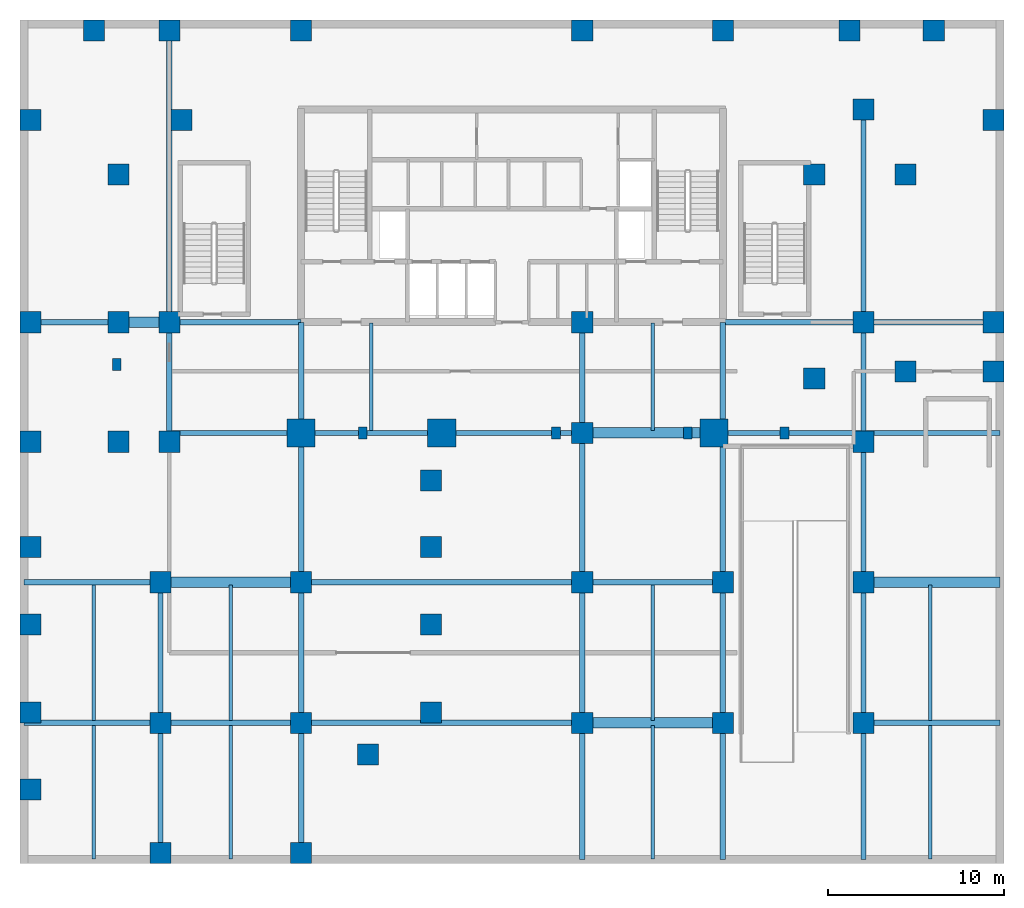
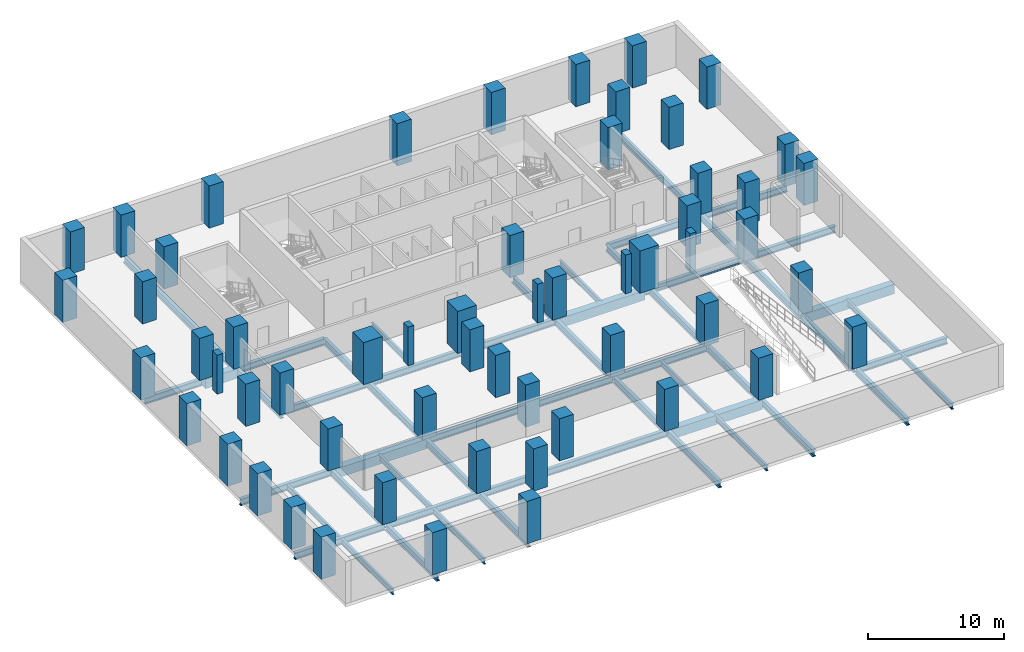
# One storey, part 1 of 5: 57 columns, 52 beams.
"""IFC4 building model written with IfcOpenShell, lengths in metres."""

from ifc_helpers import new_model, si_unit, direction, frame, origin, origin_2d, place, context, subcontext, project, spatial, rectangle, i_section, extrude, material, material_profile, profile_set, type_object, element, save


model = new_model("IFC4")

# Units and contexts
model_context = context("Model", 3, precision=1e-05, world=origin(), true_north=direction((0.0, 1.0)))
body_context = subcontext(model_context, "Body", "Model", "MODEL_VIEW")
ifc_project = project(units=[si_unit("LENGTHUNIT", "METRE"), si_unit("AREAUNIT", "SQUARE_METRE"), si_unit("VOLUMEUNIT", "CUBIC_METRE"), si_unit("PLANEANGLEUNIT", "RADIAN"), si_unit("MASSUNIT", "GRAM", prefix="KILO")], contexts=[model_context])

# Site, building, storey
site_placement = place(None, origin())
site = spatial("IfcSite", under=ifc_project, at=site_placement, CompositionType="ELEMENT")
building_placement = place(site_placement, origin())
building = spatial("IfcBuilding", under=site, at=building_placement, Name="Catumbela Crestline Tower", CompositionType="ELEMENT")
storey_placement = place(building_placement, frame((0.0, 0.0, -9.4)))
storey = spatial("IfcBuildingStorey", under=building, at=storey_placement, Name="B02", CompositionType="ELEMENT", Elevation=-9.4)

# Columns
ifc_material_1 = material(Name="Concrete C50/60", Category="concrete")
ifc_material_profile_1 = material_profile(ifc_material_1, rectangle(XDim=0.5, YDim=0.7, at=origin_2d()), Name="RC 500x700")
ifc_profile_set_1 = profile_set([ifc_material_profile_1], Name="Concrete C50/60")
column_type_1 = type_object("IfcColumnType", Name="CP-500", PredefinedType="PILASTER", material=ifc_profile_set_1)
for number, where, z_axis, x_axis, name in (
    (1, (19.5, 24.5, 0.0), (0.0, 0.0, 1.0), (1.0, 0.0, 0.0), "B02 Galleria Architectural Pilaster 6"),
    (2, (30.5, 24.5, 0.0), (0.0, 0.0, 1.0), (1.0, 0.0, 0.0), "B02 Galleria Architectural Pilaster 7"),
    (3, (38.0, 24.5, 0.0), (0.0, 0.0, 1.0), (1.0, 0.0, 0.0), "B02 Galleria Architectural Pilaster 8"),
    (4, (43.5, 24.5, 0.0), (0.0, 0.0, 1.0), (1.0, 0.0, 0.0), "B02 Galleria Architectural Pilaster 9"),
    (5, (5.5, 28.4, 0.0), (0.0, 0.0, 1.0), (1.0, 0.0, 0.0), "B02 Galleria Architectural Pilaster 10"),
):
    element("IfcColumn", number, at=place(storey_placement, frame(where, z_axis=z_axis, x_axis=x_axis)), inside=storey, type_object=column_type_1, Name=name, PredefinedType="PILASTER", context=body_context, shape_type="SweptSolid", body=[
        extrude(rectangle(XDim=0.5, YDim=0.7, at=origin_2d()), origin(), (0.0, 0.0, 1.0), 3.5),
    ])
ifc_material_2 = material(Name="Concrete C60/75", Category="concrete")
ifc_material_profile_2 = material_profile(ifc_material_2, rectangle(XDim=1.2, YDim=1.2, at=origin_2d()), Name="RC 1200x1200")
ifc_profile_set_2 = profile_set([ifc_material_profile_2], Name="Concrete C60/75")
column_type_2 = type_object("IfcColumnType", Name="C-RC1200-C60", PredefinedType="COLUMN", material=ifc_profile_set_2)
for number, where, z_axis, x_axis, name in (
    (6, (8.5, 24.0, 0.0), (0.0, 0.0, 1.0), (1.0, 0.0, 0.0), "B02 Column C-08-24 (RC 1200x1200)"),
    (7, (32.0, 24.5, 0.0), (0.0, 0.0, 1.0), (1.0, 0.0, 0.0), "B02 Column C-32-24 (RC 1200x1200)"),
    (8, (5.6, 24.0, 0.0), (0.0, 0.0, 1.0), (1.0, 0.0, 0.0), "B02 Column C-05-24 (RC 1200x1200)"),
    (9, (5.6, 30.8, 0.0), (0.0, 0.0, 1.0), (1.0, 0.0, 0.0), "B02 Column C-05-31 (RC 1200x1200)"),
    (10, (5.6, 39.2, 0.0), (0.0, 0.0, 1.0), (1.0, 0.0, 0.0), "B02 Column C-05-43 (RC 1200x1200)"),
    (11, (8.5, 30.8, 0.0), (0.0, 0.0, 1.0), (1.0, 0.0, 0.0), "B02 Column C-08-31 (RC 1200x1200)"),
    (12, (9.2, 42.3, 0.0), (0.0, 0.0, 1.0), (1.0, 0.0, 0.0), "B02 Column C-08-43 (RC 1200x1200)"),
    (13, (45.2, 27.6, 0.0), (0.0, 0.0, 1.0), (1.0, 0.0, 0.0), "B02 Column C-46-24 (RC 1200x1200)"),
    (14, (45.2, 39.2, 0.0), (0.0, 0.0, 1.0), (1.0, 0.0, 0.0), "B02 Column C-46-43 (RC 1200x1200)"),
    (15, (0.6, 24.0, 0.0), (0.0, 0.0, 1.0), (1.0, 0.0, 0.0), "B02 Column C-00-24 (RC 1200x1200)"),
    (16, (0.6, 30.8, 0.0), (0.0, 0.0, 1.0), (1.0, 0.0, 0.0), "B02 Column C-00-31 (RC 1200x1200)"),
    (17, (0.6, 42.3, 0.0), (0.0, 0.0, 1.0), (1.0, 0.0, 0.0), "B02 Column C-00-43 (RC 1200x1200)"),
    (18, (4.2, 47.4, 0.0), (0.0, 0.0, 1.0), (1.0, 0.0, 0.0), "B02 Column C-00-48 (RC 1200x1200)"),
    (19, (8.5, 47.4, 0.0), (0.0, 0.0, 1.0), (1.0, 0.0, 0.0), "B02 Column C-08-48 (RC 1200x1200)"),
    (20, (16.0, 47.4, 0.0), (0.0, 0.0, 1.0), (1.0, 0.0, 0.0), "B02 Column C-16-48 (RC 1200x1200)"),
    (21, (32.0, 47.4, 0.0), (0.0, 0.0, 1.0), (1.0, 0.0, 0.0), "B02 Column C-32-48 (RC 1200x1200)"),
    (22, (40.0, 47.4, 0.0), (0.0, 0.0, 1.0), (1.0, 0.0, 0.0), "B02 Column C-40-48 (RC 1200x1200)"),
    (23, (47.2, 47.4, 0.0), (0.0, 0.0, 1.0), (1.0, 0.0, 0.0), "B02 Column C-48-48 (RC 1200x1200)"),
    (24, (50.4, 28.0, 0.0), (0.0, 0.0, 1.0), (1.0, 0.0, 0.0), "B02 Column C-51-24 (RC 1200x1200)"),
    (25, (50.4, 39.2, 0.0), (0.0, 0.0, 1.0), (1.0, 0.0, 0.0), "B02 Column C-51-43 (RC 1200x1200)"),
    (26, (55.4, 28.0, 0.0), (0.0, 0.0, 1.0), (1.0, 0.0, 0.0), "B02 Column C-56-24 (RC 1200x1200)"),
    (27, (55.4, 30.8, 0.0), (0.0, 0.0, 1.0), (1.0, 0.0, 0.0), "B02 Column C-56-31 (RC 1200x1200)"),
    (28, (55.4, 42.3, 0.0), (0.0, 0.0, 1.0), (1.0, 0.0, 0.0), "B02 Column C-56-43 (RC 1200x1200)"),
    (29, (52.0, 47.4, 0.0), (0.0, 0.0, 1.0), (1.0, 0.0, 0.0), "B02 Column C-56-48 (RC 1200x1200)"),
    (30, (0.6, 8.6, 0.0), (0.0, 0.0, 1.0), (1.0, 0.0, 0.0), "B02 Column C-00-05 (RC 1200x1200)"),
    (31, (0.6, 13.6, 0.0), (0.0, 0.0, 1.0), (1.0, 0.0, 0.0), "B02 Column C-00-10 (RC 1200x1200)"),
    (32, (0.6, 18.0, 0.0), (0.0, 0.0, 1.0), (1.0, 0.0, 0.0), "B02 Column C-00-16 (RC 1200x1200)"),
    (33, (0.6, 4.2, 0.0), (0.0, 0.0, 1.0), (1.0, 0.0, 0.0), "B02 Column C-00-03 (RC 1200x1200)"),
    (34, (8.0, 0.6, 0.0), (0.0, 0.0, 1.0), (1.0, 0.0, 0.0), "B02 Column C-08-00 (RC 1200x1200)"),
    (35, (16.0, 0.6, 0.0), (0.0, 0.0, 1.0), (1.0, 0.0, 0.0), "B02 Column C-16-00 (RC 1200x1200)"),
    (36, (19.8, 6.2, 0.0), (0.0, 0.0, 1.0), (1.0, 0.0, 0.0), "B02 Column C-24-05 (RC 1200x1200)"),
    (37, (23.4, 8.6, 0.0), (0.0, 0.0, 1.0), (1.0, 0.0, 0.0), "B02 Column C-23-08 (RC 1200x1200)"),
    (38, (23.4, 13.6, 0.0), (0.0, 0.0, 1.0), (1.0, 0.0, 0.0), "B02 Column C-24-10 (RC 1200x1200)"),
    (39, (23.4, 18.0, 0.0), (0.0, 0.0, 1.0), (1.0, 0.0, 0.0), "B02 Column C-24-16 (RC 1200x1200)"),
    (40, (23.4, 21.8, 0.0), (0.0, 0.0, 1.0), (1.0, 0.0, 0.0), "B02 Column C-24-21 (RC 1200x1200)"),
    (41, (8.0, 8.0, 0.0), (0.0, 0.0, 1.0), (1.0, 0.0, 0.0), "B02 Column C-08-08 (RC 1200x1200)"),
    (42, (16.0, 8.0, 0.0), (0.0, 0.0, 1.0), (1.0, 0.0, 0.0), "B02 Column C-16-08 (RC 1200x1200)"),
    (43, (32.0, 30.8, 0.0), (0.0, 0.0, 1.0), (1.0, 0.0, 0.0), "B02 Column C-32-31 (RC 1200x1200)"),
    (44, (32.0, 8.0, 0.0), (0.0, 0.0, 1.0), (1.0, 0.0, 0.0), "B02 Column C-32-08 (RC 1200x1200)"),
    (45, (40.0, 8.0, 0.0), (0.0, 0.0, 1.0), (1.0, 0.0, 0.0), "B02 Column C-40-08 (RC 1200x1200)"),
    (46, (48.0, 8.0, 0.0), (0.0, 0.0, 1.0), (1.0, 0.0, 0.0), "B02 Column C-48-08 (RC 1200x1200)"),
    (47, (8.0, 16.0, 0.0), (0.0, 0.0, 1.0), (1.0, 0.0, 0.0), "B02 Column C-08-16 (RC 1200x1200)"),
    (48, (16.0, 16.0, 0.0), (0.0, 0.0, 1.0), (1.0, 0.0, 0.0), "B02 Column C-16-16 (RC 1200x1200)"),
    (49, (32.0, 16.0, 0.0), (0.0, 0.0, 1.0), (1.0, 0.0, 0.0), "B02 Column C-32-16 (RC 1200x1200)"),
    (50, (40.0, 16.0, 0.0), (0.0, 0.0, 1.0), (1.0, 0.0, 0.0), "B02 Column C-40-16 (RC 1200x1200)"),
    (51, (48.0, 16.0, 0.0), (0.0, 0.0, 1.0), (1.0, 0.0, 0.0), "B02 Column C-48-16 (RC 1200x1200)"),
    (52, (48.0, 24.0, 0.0), (0.0, 0.0, 1.0), (1.0, 0.0, 0.0), "B02 Column C-48-24 (RC 1200x1200)"),
    (53, (48.0, 30.8, 0.0), (0.0, 0.0, 1.0), (1.0, 0.0, 0.0), "B02 Column C-48-31 (RC 1200x1200)"),
    (54, (48.0, 42.9, 0.0), (0.0, 0.0, 1.0), (1.0, 0.0, 0.0), "B02 Column C-48-43 (RC 1200x1200)"),
):
    element("IfcColumn", number, at=place(storey_placement, frame(where, z_axis=z_axis, x_axis=x_axis)), inside=storey, type_object=column_type_2, Name=name, PredefinedType="COLUMN", context=body_context, shape_type="SweptSolid", body=[
        extrude(rectangle(XDim=1.2, YDim=1.2, at=origin_2d()), origin(), (0.0, 0.0, 1.0), 3.8),
    ])
ifc_material_profile_3 = material_profile(ifc_material_2, rectangle(XDim=1.6, YDim=1.6, at=origin_2d()), Name="RC 1600x1600")
ifc_profile_set_3 = profile_set([ifc_material_profile_3], Name="Concrete C60/75")
column_type_3 = type_object("IfcColumnType", Name="C-RC1600-C60", PredefinedType="COLUMN", material=ifc_profile_set_3)
for number, where, z_axis, x_axis, name in (
    (55, (16.0, 24.5, 0.0), (0.0, 0.0, 1.0), (1.0, 0.0, 0.0), "B02 Column C-16-24 (RC 1600x1600)"),
    (56, (24.0, 24.5, 0.0), (0.0, 0.0, 1.0), (1.0, 0.0, 0.0), "B02 Column C-24-24 (RC 1600x1600)"),
    (57, (39.5, 24.5, 0.0), (0.0, 0.0, 1.0), (1.0, 0.0, 0.0), "B02 Column C-40-24 (RC 1600x1600)"),
):
    element("IfcColumn", number, at=place(storey_placement, frame(where, z_axis=z_axis, x_axis=x_axis)), inside=storey, type_object=column_type_3, Name=name, PredefinedType="COLUMN", context=body_context, shape_type="SweptSolid", body=[
        extrude(rectangle(XDim=1.6, YDim=1.6, at=origin_2d()), origin(), (0.0, 0.0, 1.0), 3.8),
    ])

# Beams
ifc_material_3 = material(Name="Structural steel S355J2", Category="steel")
ifc_material_profile_4 = material_profile(ifc_material_3, i_section(OverallWidth=0.3, OverallDepth=0.6, WebThickness=0.0155, FlangeThickness=0.03, FilletRadius=0.027, at=origin_2d()), Name="HEB 600")
ifc_profile_set_4 = profile_set([ifc_material_profile_4], Name="Structural steel S355J2")
beam_type_1 = type_object("IfcBeamType", Name="BG-HEB600", PredefinedType="BEAM", material=ifc_profile_set_4)
beam_1_placement = place(storey_placement, frame((0.23, 8.0, -0.6), z_axis=(1.0, 0.0, 0.0), x_axis=(0.0, 1.0, 0.0)))
element("IfcBeam", 58, at=beam_1_placement, inside=storey, type_object=beam_type_1, Name="B02 Beam BM-B02-EW01", PredefinedType="BEAM", context=body_context, shape_type="SweptSolid", body=[
    extrude(i_section(OverallWidth=0.3, OverallDepth=0.6, WebThickness=0.0155, FlangeThickness=0.03, FilletRadius=0.027, at=origin_2d()), origin(), (0.0, 0.0, 1.0), 7.69),
])
beam_2_placement = place(storey_placement, frame((8.08, 8.0, -0.6), z_axis=(1.0, 0.0, 0.0), x_axis=(0.0, 1.0, 0.0)))
element("IfcBeam", 59, at=beam_2_placement, inside=storey, type_object=beam_type_1, Name="B02 Beam BM-B02-EW02", PredefinedType="BEAM", context=body_context, shape_type="SweptSolid", body=[
    extrude(i_section(OverallWidth=0.3, OverallDepth=0.6, WebThickness=0.0155, FlangeThickness=0.03, FilletRadius=0.027, at=origin_2d()), origin(), (0.0, 0.0, 1.0), 7.91),
])
beam_3_placement = place(storey_placement, frame((16.08, 8.0, -0.6), z_axis=(1.0, 0.0, 0.0), x_axis=(0.0, 1.0, 0.0)))
element("IfcBeam", 60, at=beam_3_placement, inside=storey, type_object=beam_type_1, Name="B02 Beam BM-B02-EW03", PredefinedType="BEAM", context=body_context, shape_type="SweptSolid", body=[
    extrude(i_section(OverallWidth=0.3, OverallDepth=0.6, WebThickness=0.0155, FlangeThickness=0.03, FilletRadius=0.027, at=origin_2d()), origin(), (0.0, 0.0, 1.0), 15.84),
])
for number, where, z_axis, x_axis, name in (
    (61, (48.08, 8.0, -0.6), (1.0, 0.0, 0.0), (0.0, 1.0, 0.0), "B02 Beam BM-B02-EW06"),
    (62, (0.23, 16.0, -0.6), (1.0, 0.0, 0.0), (0.0, 1.0, 0.0), "B02 Beam BM-B02-EW07"),
):
    element("IfcBeam", number, at=place(storey_placement, frame(where, z_axis=z_axis, x_axis=x_axis)), inside=storey, type_object=beam_type_1, Name=name, PredefinedType="BEAM", context=body_context, shape_type="SweptSolid", body=[
        extrude(i_section(OverallWidth=0.3, OverallDepth=0.6, WebThickness=0.0155, FlangeThickness=0.03, FilletRadius=0.027, at=origin_2d()), origin(), (0.0, 0.0, 1.0), 7.69),
    ])
beam_4_placement = place(storey_placement, frame((16.08, 16.0, -0.6), z_axis=(1.0, 0.0, 0.0), x_axis=(0.0, 1.0, 0.0)))
element("IfcBeam", 63, at=beam_4_placement, inside=storey, type_object=beam_type_1, Name="B02 Beam BM-B02-EW09", PredefinedType="BEAM", context=body_context, shape_type="SweptSolid", body=[
    extrude(i_section(OverallWidth=0.3, OverallDepth=0.6, WebThickness=0.0155, FlangeThickness=0.03, FilletRadius=0.027, at=origin_2d()), origin(), (0.0, 0.0, 1.0), 15.84),
])
beam_5_placement = place(storey_placement, frame((32.08, 16.0, -0.6), z_axis=(1.0, 0.0, 0.0), x_axis=(0.0, 1.0, 0.0)))
element("IfcBeam", 64, at=beam_5_placement, inside=storey, type_object=beam_type_1, Name="B02 Beam BM-B02-EW10", PredefinedType="BEAM", context=body_context, shape_type="SweptSolid", body=[
    extrude(i_section(OverallWidth=0.3, OverallDepth=0.6, WebThickness=0.0155, FlangeThickness=0.03, FilletRadius=0.027, at=origin_2d()), origin(), (0.0, 0.0, 1.0), 7.84),
])
beam_6_placement = place(storey_placement, frame((8.58, 24.5, -0.6), z_axis=(1.0, 0.0, 0.0), x_axis=(0.0, 1.0, 0.0)))
element("IfcBeam", 65, at=beam_6_placement, inside=storey, type_object=beam_type_1, Name="B02 Beam BM-B02-EW13", PredefinedType="BEAM", context=body_context, shape_type="SweptSolid", body=[
    extrude(i_section(OverallWidth=0.3, OverallDepth=0.6, WebThickness=0.0155, FlangeThickness=0.03, FilletRadius=0.027, at=origin_2d()), origin(), (0.0, 0.0, 1.0), 7.41),
])
for number, where, z_axis, x_axis, name in (
    (66, (16.08, 24.5, -0.6), (1.0, 0.0, 0.0), (0.0, 1.0, 0.0), "B02 Beam BM-B02-EW14"),
    (67, (24.08, 24.5, -0.6), (1.0, 0.0, 0.0), (0.0, 1.0, 0.0), "B02 Beam BM-B02-EW15"),
):
    element("IfcBeam", number, at=place(storey_placement, frame(where, z_axis=z_axis, x_axis=x_axis)), inside=storey, type_object=beam_type_1, Name=name, PredefinedType="BEAM", context=body_context, shape_type="SweptSolid", body=[
        extrude(i_section(OverallWidth=0.3, OverallDepth=0.6, WebThickness=0.0155, FlangeThickness=0.03, FilletRadius=0.027, at=origin_2d()), origin(), (0.0, 0.0, 1.0), 7.84),
    ])
beam_7_placement = place(storey_placement, frame((39.58, 24.5, -0.6), z_axis=(1.0, 0.0, 0.0), x_axis=(0.0, 1.0, 0.0)))
element("IfcBeam", 68, at=beam_7_placement, inside=storey, type_object=beam_type_1, Name="B02 Beam BM-B02-EW17", PredefinedType="BEAM", context=body_context, shape_type="SweptSolid", body=[
    extrude(i_section(OverallWidth=0.3, OverallDepth=0.6, WebThickness=0.0155, FlangeThickness=0.03, FilletRadius=0.027, at=origin_2d()), origin(), (0.0, 0.0, 1.0), 8.34),
])
beam_8_placement = place(storey_placement, frame((48.08, 24.5, -0.6), z_axis=(1.0, 0.0, 0.0), x_axis=(0.0, 1.0, 0.0)))
element("IfcBeam", 69, at=beam_8_placement, inside=storey, type_object=beam_type_1, Name="B02 Beam BM-B02-EW18", PredefinedType="BEAM", context=body_context, shape_type="SweptSolid", body=[
    extrude(i_section(OverallWidth=0.3, OverallDepth=0.6, WebThickness=0.0155, FlangeThickness=0.03, FilletRadius=0.027, at=origin_2d()), origin(), (0.0, 0.0, 1.0), 7.69),
])
beam_9_placement = place(storey_placement, frame((0.68, 30.8, -0.6), z_axis=(1.0, 0.0, 0.0), x_axis=(0.0, 1.0, 0.0)))
element("IfcBeam", 70, at=beam_9_placement, inside=storey, type_object=beam_type_1, Name="B02 Beam BM-B02-EW19", PredefinedType="BEAM", context=body_context, shape_type="SweptSolid", body=[
    extrude(i_section(OverallWidth=0.3, OverallDepth=0.6, WebThickness=0.0155, FlangeThickness=0.03, FilletRadius=0.027, at=origin_2d()), origin(), (0.0, 0.0, 1.0), 4.84),
])
beam_10_placement = place(storey_placement, frame((8.58, 30.8, -0.6), z_axis=(1.0, 0.0, 0.0), x_axis=(0.0, 1.0, 0.0)))
element("IfcBeam", 71, at=beam_10_placement, inside=storey, type_object=beam_type_1, Name="B02 Beam BM-B02-EW21", PredefinedType="BEAM", context=body_context, shape_type="SweptSolid", body=[
    extrude(i_section(OverallWidth=0.3, OverallDepth=0.6, WebThickness=0.0155, FlangeThickness=0.03, FilletRadius=0.027, at=origin_2d()), origin(), (0.0, 0.0, 1.0), 7.41),
])
beam_11_placement = place(storey_placement, frame((40.01, 30.8, -0.6), z_axis=(1.0, 0.0, 0.0), x_axis=(0.0, 1.0, 0.0)))
element("IfcBeam", 72, at=beam_11_placement, inside=storey, type_object=beam_type_1, Name="B02 Beam BM-B02-EW22", PredefinedType="BEAM", context=body_context, shape_type="SweptSolid", body=[
    extrude(i_section(OverallWidth=0.3, OverallDepth=0.6, WebThickness=0.0155, FlangeThickness=0.03, FilletRadius=0.027, at=origin_2d()), origin(), (0.0, 0.0, 1.0), 7.91),
])
beam_12_placement = place(storey_placement, frame((48.08, 30.8, -0.6), z_axis=(1.0, 0.0, 0.0), x_axis=(0.0, 1.0, 0.0)))
element("IfcBeam", 73, at=beam_12_placement, inside=storey, type_object=beam_type_1, Name="B02 Beam BM-B02-EW23", PredefinedType="BEAM", context=body_context, shape_type="SweptSolid", body=[
    extrude(i_section(OverallWidth=0.3, OverallDepth=0.6, WebThickness=0.0155, FlangeThickness=0.03, FilletRadius=0.027, at=origin_2d()), origin(), (0.0, 0.0, 1.0), 7.24),
])
beam_13_placement = place(storey_placement, frame((8.0, 0.23, -0.6), z_axis=(0.0, 1.0, 0.0), x_axis=(-1.0, 0.0, 0.0)))
element("IfcBeam", 74, at=beam_13_placement, inside=storey, type_object=beam_type_1, Name="B02 Beam BM-B02-NS24", PredefinedType="BEAM", context=body_context, shape_type="SweptSolid", body=[
    extrude(i_section(OverallWidth=0.3, OverallDepth=0.6, WebThickness=0.0155, FlangeThickness=0.03, FilletRadius=0.027, at=origin_2d()), origin(), (0.0, 0.0, 1.0), 7.69),
])
beam_14_placement = place(storey_placement, frame((8.0, 8.08, -0.6), z_axis=(0.0, 1.0, 0.0), x_axis=(-1.0, 0.0, 0.0)))
element("IfcBeam", 75, at=beam_14_placement, inside=storey, type_object=beam_type_1, Name="B02 Beam BM-B02-NS25", PredefinedType="BEAM", context=body_context, shape_type="SweptSolid", body=[
    extrude(i_section(OverallWidth=0.3, OverallDepth=0.6, WebThickness=0.0155, FlangeThickness=0.03, FilletRadius=0.027, at=origin_2d()), origin(), (0.0, 0.0, 1.0), 7.84),
])
beam_15_placement = place(storey_placement, frame((8.5, 24.08, -0.6), z_axis=(0.0, 1.0, 0.0), x_axis=(-1.0, 0.0, 0.0)))
element("IfcBeam", 76, at=beam_15_placement, inside=storey, type_object=beam_type_1, Name="B02 Beam BM-B02-NS26", PredefinedType="BEAM", context=body_context, shape_type="SweptSolid", body=[
    extrude(i_section(OverallWidth=0.3, OverallDepth=0.6, WebThickness=0.0155, FlangeThickness=0.03, FilletRadius=0.027, at=origin_2d()), origin(), (0.0, 0.0, 1.0), 6.64),
])
beam_16_placement = place(storey_placement, frame((8.5, 30.88, -0.6), z_axis=(0.0, 1.0, 0.0), x_axis=(-1.0, 0.0, 0.0)))
element("IfcBeam", 77, at=beam_16_placement, inside=storey, type_object=beam_type_1, Name="B02 Beam BM-B02-NS27", PredefinedType="BEAM", context=body_context, shape_type="SweptSolid", body=[
    extrude(i_section(OverallWidth=0.3, OverallDepth=0.6, WebThickness=0.0155, FlangeThickness=0.03, FilletRadius=0.027, at=origin_2d()), origin(), (0.0, 0.0, 1.0), 16.44),
])
beam_17_placement = place(storey_placement, frame((16.0, 0.68, -0.6), z_axis=(0.0, 1.0, 0.0), x_axis=(-1.0, 0.0, 0.0)))
element("IfcBeam", 78, at=beam_17_placement, inside=storey, type_object=beam_type_1, Name="B02 Beam BM-B02-NS28", PredefinedType="BEAM", context=body_context, shape_type="SweptSolid", body=[
    extrude(i_section(OverallWidth=0.3, OverallDepth=0.6, WebThickness=0.0155, FlangeThickness=0.03, FilletRadius=0.027, at=origin_2d()), origin(), (0.0, 0.0, 1.0), 7.24),
])
beam_18_placement = place(storey_placement, frame((16.0, 8.08, -0.6), z_axis=(0.0, 1.0, 0.0), x_axis=(-1.0, 0.0, 0.0)))
element("IfcBeam", 79, at=beam_18_placement, inside=storey, type_object=beam_type_1, Name="B02 Beam BM-B02-NS29", PredefinedType="BEAM", context=body_context, shape_type="SweptSolid", body=[
    extrude(i_section(OverallWidth=0.3, OverallDepth=0.6, WebThickness=0.0155, FlangeThickness=0.03, FilletRadius=0.027, at=origin_2d()), origin(), (0.0, 0.0, 1.0), 7.84),
])
beam_19_placement = place(storey_placement, frame((16.0, 16.08, -0.6), z_axis=(0.0, 1.0, 0.0), x_axis=(-1.0, 0.0, 0.0)))
element("IfcBeam", 80, at=beam_19_placement, inside=storey, type_object=beam_type_1, Name="B02 Beam BM-B02-NS30", PredefinedType="BEAM", context=body_context, shape_type="SweptSolid", body=[
    extrude(i_section(OverallWidth=0.3, OverallDepth=0.6, WebThickness=0.0155, FlangeThickness=0.03, FilletRadius=0.027, at=origin_2d()), origin(), (0.0, 0.0, 1.0), 8.34),
])
beam_20_placement = place(storey_placement, frame((16.0, 24.58, -0.6), z_axis=(0.0, 1.0, 0.0), x_axis=(-1.0, 0.0, 0.0)))
element("IfcBeam", 81, at=beam_20_placement, inside=storey, type_object=beam_type_1, Name="B02 Beam BM-B02-NS31", PredefinedType="BEAM", context=body_context, shape_type="SweptSolid", body=[
    extrude(i_section(OverallWidth=0.3, OverallDepth=0.6, WebThickness=0.0155, FlangeThickness=0.03, FilletRadius=0.027, at=origin_2d()), origin(), (0.0, 0.0, 1.0), 6.21),
])
beam_21_placement = place(storey_placement, frame((32.0, 0.23, -0.6), z_axis=(0.0, 1.0, 0.0), x_axis=(-1.0, 0.0, 0.0)))
element("IfcBeam", 82, at=beam_21_placement, inside=storey, type_object=beam_type_1, Name="B02 Beam BM-B02-NS32", PredefinedType="BEAM", context=body_context, shape_type="SweptSolid", body=[
    extrude(i_section(OverallWidth=0.3, OverallDepth=0.6, WebThickness=0.0155, FlangeThickness=0.03, FilletRadius=0.027, at=origin_2d()), origin(), (0.0, 0.0, 1.0), 7.69),
])
beam_22_placement = place(storey_placement, frame((32.0, 8.08, -0.6), z_axis=(0.0, 1.0, 0.0), x_axis=(-1.0, 0.0, 0.0)))
element("IfcBeam", 83, at=beam_22_placement, inside=storey, type_object=beam_type_1, Name="B02 Beam BM-B02-NS33", PredefinedType="BEAM", context=body_context, shape_type="SweptSolid", body=[
    extrude(i_section(OverallWidth=0.3, OverallDepth=0.6, WebThickness=0.0155, FlangeThickness=0.03, FilletRadius=0.027, at=origin_2d()), origin(), (0.0, 0.0, 1.0), 7.84),
])
beam_23_placement = place(storey_placement, frame((32.0, 16.08, -0.6), z_axis=(0.0, 1.0, 0.0), x_axis=(-1.0, 0.0, 0.0)))
element("IfcBeam", 84, at=beam_23_placement, inside=storey, type_object=beam_type_1, Name="B02 Beam BM-B02-NS34", PredefinedType="BEAM", context=body_context, shape_type="SweptSolid", body=[
    extrude(i_section(OverallWidth=0.3, OverallDepth=0.6, WebThickness=0.0155, FlangeThickness=0.03, FilletRadius=0.027, at=origin_2d()), origin(), (0.0, 0.0, 1.0), 8.34),
])
beam_24_placement = place(storey_placement, frame((32.0, 24.58, -0.6), z_axis=(0.0, 1.0, 0.0), x_axis=(-1.0, 0.0, 0.0)))
element("IfcBeam", 85, at=beam_24_placement, inside=storey, type_object=beam_type_1, Name="B02 Beam BM-B02-NS35", PredefinedType="BEAM", context=body_context, shape_type="SweptSolid", body=[
    extrude(i_section(OverallWidth=0.3, OverallDepth=0.6, WebThickness=0.0155, FlangeThickness=0.03, FilletRadius=0.027, at=origin_2d()), origin(), (0.0, 0.0, 1.0), 6.21),
])
beam_25_placement = place(storey_placement, frame((40.0, 0.23, -0.6), z_axis=(0.0, 1.0, 0.0), x_axis=(-1.0, 0.0, 0.0)))
element("IfcBeam", 86, at=beam_25_placement, inside=storey, type_object=beam_type_1, Name="B02 Beam BM-B02-NS36", PredefinedType="BEAM", context=body_context, shape_type="SweptSolid", body=[
    extrude(i_section(OverallWidth=0.3, OverallDepth=0.6, WebThickness=0.0155, FlangeThickness=0.03, FilletRadius=0.027, at=origin_2d()), origin(), (0.0, 0.0, 1.0), 7.69),
])
beam_26_placement = place(storey_placement, frame((40.0, 8.08, -0.6), z_axis=(0.0, 1.0, 0.0), x_axis=(-1.0, 0.0, 0.0)))
element("IfcBeam", 87, at=beam_26_placement, inside=storey, type_object=beam_type_1, Name="B02 Beam BM-B02-NS37", PredefinedType="BEAM", context=body_context, shape_type="SweptSolid", body=[
    extrude(i_section(OverallWidth=0.3, OverallDepth=0.6, WebThickness=0.0155, FlangeThickness=0.03, FilletRadius=0.027, at=origin_2d()), origin(), (0.0, 0.0, 1.0), 7.84),
])
beam_27_placement = place(storey_placement, frame((40.0, 16.08, -0.6), z_axis=(0.0, 1.0, 0.0), x_axis=(-1.0, 0.0, 0.0)))
element("IfcBeam", 88, at=beam_27_placement, inside=storey, type_object=beam_type_1, Name="B02 Beam BM-B02-NS38", PredefinedType="BEAM", context=body_context, shape_type="SweptSolid", body=[
    extrude(i_section(OverallWidth=0.3, OverallDepth=0.6, WebThickness=0.0155, FlangeThickness=0.03, FilletRadius=0.027, at=origin_2d()), origin(), (0.0, 0.0, 1.0), 8.34),
])
beam_28_placement = place(storey_placement, frame((40.0, 24.58, -0.6), z_axis=(0.0, 1.0, 0.0), x_axis=(-1.0, 0.0, 0.0)))
element("IfcBeam", 89, at=beam_28_placement, inside=storey, type_object=beam_type_1, Name="B02 Beam BM-B02-NS39", PredefinedType="BEAM", context=body_context, shape_type="SweptSolid", body=[
    extrude(i_section(OverallWidth=0.3, OverallDepth=0.6, WebThickness=0.0155, FlangeThickness=0.03, FilletRadius=0.027, at=origin_2d()), origin(), (0.0, 0.0, 1.0), 6.21),
])
beam_29_placement = place(storey_placement, frame((48.0, 0.23, -0.6), z_axis=(0.0, 1.0, 0.0), x_axis=(-1.0, 0.0, 0.0)))
element("IfcBeam", 90, at=beam_29_placement, inside=storey, type_object=beam_type_1, Name="B02 Beam BM-B02-NS40", PredefinedType="BEAM", context=body_context, shape_type="SweptSolid", body=[
    extrude(i_section(OverallWidth=0.3, OverallDepth=0.6, WebThickness=0.0155, FlangeThickness=0.03, FilletRadius=0.027, at=origin_2d()), origin(), (0.0, 0.0, 1.0), 7.69),
])
for number, where, z_axis, x_axis, name in (
    (91, (48.0, 8.08, -0.6), (0.0, 1.0, 0.0), (-1.0, 0.0, 0.0), "B02 Beam BM-B02-NS41"),
    (92, (48.0, 16.08, -0.6), (0.0, 1.0, 0.0), (-1.0, 0.0, 0.0), "B02 Beam BM-B02-NS42"),
):
    element("IfcBeam", number, at=place(storey_placement, frame(where, z_axis=z_axis, x_axis=x_axis)), inside=storey, type_object=beam_type_1, Name=name, PredefinedType="BEAM", context=body_context, shape_type="SweptSolid", body=[
        extrude(i_section(OverallWidth=0.3, OverallDepth=0.6, WebThickness=0.0155, FlangeThickness=0.03, FilletRadius=0.027, at=origin_2d()), origin(), (0.0, 0.0, 1.0), 7.84),
    ])
beam_30_placement = place(storey_placement, frame((48.0, 24.08, -0.6), z_axis=(0.0, 1.0, 0.0), x_axis=(-1.0, 0.0, 0.0)))
element("IfcBeam", 93, at=beam_30_placement, inside=storey, type_object=beam_type_1, Name="B02 Beam BM-B02-NS43", PredefinedType="BEAM", context=body_context, shape_type="SweptSolid", body=[
    extrude(i_section(OverallWidth=0.3, OverallDepth=0.6, WebThickness=0.0155, FlangeThickness=0.03, FilletRadius=0.027, at=origin_2d()), origin(), (0.0, 0.0, 1.0), 6.64),
])
beam_31_placement = place(storey_placement, frame((48.0, 30.88, -0.6), z_axis=(0.0, 1.0, 0.0), x_axis=(-1.0, 0.0, 0.0)))
element("IfcBeam", 94, at=beam_31_placement, inside=storey, type_object=beam_type_1, Name="B02 Beam BM-B02-NS44", PredefinedType="BEAM", context=body_context, shape_type="SweptSolid", body=[
    extrude(i_section(OverallWidth=0.3, OverallDepth=0.6, WebThickness=0.0155, FlangeThickness=0.03, FilletRadius=0.027, at=origin_2d()), origin(), (0.0, 0.0, 1.0), 11.94),
])
ifc_material_profile_5 = material_profile(ifc_material_1, rectangle(XDim=0.6, YDim=0.85, at=origin_2d()), Name="RC 600x850")
ifc_profile_set_5 = profile_set([ifc_material_profile_5], Name="Concrete C50/60")
beam_type_2 = type_object("IfcBeamType", Name="BG-850", PredefinedType="BEAM", material=ifc_profile_set_5)
beam_32_placement = place(storey_placement, frame((32.08, 8.0, -0.725), z_axis=(1.0, 0.0, 0.0), x_axis=(0.0, 1.0, 0.0)))
element("IfcBeam", 95, at=beam_32_placement, inside=storey, type_object=beam_type_2, Name="B02 Beam BM-B02-EW04", PredefinedType="BEAM", context=body_context, shape_type="SweptSolid", body=[
    extrude(rectangle(XDim=0.6, YDim=0.85, at=origin_2d()), origin(), (0.0, 0.0, 1.0), 7.84),
])
beam_33_placement = place(storey_placement, frame((8.08, 16.0, -0.725), z_axis=(1.0, 0.0, 0.0), x_axis=(0.0, 1.0, 0.0)))
element("IfcBeam", 96, at=beam_33_placement, inside=storey, type_object=beam_type_2, Name="B02 Beam BM-B02-EW08", PredefinedType="BEAM", context=body_context, shape_type="SweptSolid", body=[
    extrude(rectangle(XDim=0.6, YDim=0.85, at=origin_2d()), origin(), (0.0, 0.0, 1.0), 7.91),
])
beam_34_placement = place(storey_placement, frame((48.08, 16.0, -0.725), z_axis=(1.0, 0.0, 0.0), x_axis=(0.0, 1.0, 0.0)))
element("IfcBeam", 97, at=beam_34_placement, inside=storey, type_object=beam_type_2, Name="B02 Beam BM-B02-EW12", PredefinedType="BEAM", context=body_context, shape_type="SweptSolid", body=[
    extrude(rectangle(XDim=0.6, YDim=0.85, at=origin_2d()), origin(), (0.0, 0.0, 1.0), 7.69),
])
beam_35_placement = place(storey_placement, frame((32.08, 24.5, -0.725), z_axis=(1.0, 0.0, 0.0), x_axis=(0.0, 1.0, 0.0)))
element("IfcBeam", 98, at=beam_35_placement, inside=storey, type_object=beam_type_2, Name="B02 Beam BM-B02-EW16", PredefinedType="BEAM", context=body_context, shape_type="SweptSolid", body=[
    extrude(rectangle(XDim=0.6, YDim=0.85, at=origin_2d()), origin(), (0.0, 0.0, 1.0), 7.34),
])
beam_36_placement = place(storey_placement, frame((5.68, 30.8, -0.725), z_axis=(1.0, 0.0, 0.0), x_axis=(0.0, 1.0, 0.0)))
element("IfcBeam", 99, at=beam_36_placement, inside=storey, type_object=beam_type_2, Name="B02 Beam BM-B02-EW20", PredefinedType="BEAM", context=body_context, shape_type="SweptSolid", body=[
    extrude(rectangle(XDim=0.6, YDim=0.85, at=origin_2d()), origin(), (0.0, 0.0, 1.0), 2.74),
])
ifc_material_profile_6 = material_profile(ifc_material_3, i_section(OverallWidth=0.2, OverallDepth=0.5, WebThickness=0.0102, FlangeThickness=0.016, FilletRadius=0.021, at=origin_2d()), Name="IPE 500")
ifc_profile_set_6 = profile_set([ifc_material_profile_6], Name="Structural steel S355J2")
beam_type_3 = type_object("IfcBeamType", Name="BJ-IPE500", PredefinedType="JOIST", material=ifc_profile_set_6)
beam_37_placement = place(storey_placement, frame((4.2, 0.24, -0.55), z_axis=(0.0, 1.0, 0.0), x_axis=(-1.0, 0.0, 0.0)))
element("IfcBeam", 100, at=beam_37_placement, inside=storey, type_object=beam_type_3, Name="B02 Joist JS-B02-45", PredefinedType="JOIST", context=body_context, shape_type="SweptSolid", body=[
    extrude(i_section(OverallWidth=0.2, OverallDepth=0.5, WebThickness=0.0102, FlangeThickness=0.016, FilletRadius=0.021, at=origin_2d()), origin(), (0.0, 0.0, 1.0), 7.613),
])
beam_38_placement = place(storey_placement, frame((4.2, 8.147, -0.55), z_axis=(0.0, 1.0, 0.0), x_axis=(-1.0, 0.0, 0.0)))
element("IfcBeam", 101, at=beam_38_placement, inside=storey, type_object=beam_type_3, Name="B02 Joist JS-B02-46", PredefinedType="JOIST", context=body_context, shape_type="SweptSolid", body=[
    extrude(i_section(OverallWidth=0.2, OverallDepth=0.5, WebThickness=0.0102, FlangeThickness=0.016, FilletRadius=0.021, at=origin_2d()), origin(), (0.0, 0.0, 1.0), 7.706),
])
beam_39_placement = place(storey_placement, frame((12.0, 0.24, -0.55), z_axis=(0.0, 1.0, 0.0), x_axis=(-1.0, 0.0, 0.0)))
element("IfcBeam", 102, at=beam_39_placement, inside=storey, type_object=beam_type_3, Name="B02 Joist JS-B02-47", PredefinedType="JOIST", context=body_context, shape_type="SweptSolid", body=[
    extrude(i_section(OverallWidth=0.2, OverallDepth=0.5, WebThickness=0.0102, FlangeThickness=0.016, FilletRadius=0.021, at=origin_2d()), origin(), (0.0, 0.0, 1.0), 7.613),
])
beam_40_placement = place(storey_placement, frame((12.0, 8.147, -0.55), z_axis=(0.0, 1.0, 0.0), x_axis=(-1.0, 0.0, 0.0)))
element("IfcBeam", 103, at=beam_40_placement, inside=storey, type_object=beam_type_3, Name="B02 Joist JS-B02-48", PredefinedType="JOIST", context=body_context, shape_type="SweptSolid", body=[
    extrude(i_section(OverallWidth=0.2, OverallDepth=0.5, WebThickness=0.0102, FlangeThickness=0.016, FilletRadius=0.021, at=origin_2d()), origin(), (0.0, 0.0, 1.0), 7.706),
])
beam_41_placement = place(storey_placement, frame((36.0, 0.24, -0.55), z_axis=(0.0, 1.0, 0.0), x_axis=(-1.0, 0.0, 0.0)))
element("IfcBeam", 104, at=beam_41_placement, inside=storey, type_object=beam_type_3, Name="B02 Joist JS-B02-49", PredefinedType="JOIST", context=body_context, shape_type="SweptSolid", body=[
    extrude(i_section(OverallWidth=0.2, OverallDepth=0.5, WebThickness=0.0102, FlangeThickness=0.016, FilletRadius=0.021, at=origin_2d()), origin(), (0.0, 0.0, 1.0), 7.613),
])
beam_42_placement = place(storey_placement, frame((36.0, 8.147, -0.55), z_axis=(0.0, 1.0, 0.0), x_axis=(-1.0, 0.0, 0.0)))
element("IfcBeam", 105, at=beam_42_placement, inside=storey, type_object=beam_type_3, Name="B02 Joist JS-B02-50", PredefinedType="JOIST", context=body_context, shape_type="SweptSolid", body=[
    extrude(i_section(OverallWidth=0.2, OverallDepth=0.5, WebThickness=0.0102, FlangeThickness=0.016, FilletRadius=0.021, at=origin_2d()), origin(), (0.0, 0.0, 1.0), 7.706),
])
beam_43_placement = place(storey_placement, frame((51.8, 0.24, -0.55), z_axis=(0.0, 1.0, 0.0), x_axis=(-1.0, 0.0, 0.0)))
element("IfcBeam", 106, at=beam_43_placement, inside=storey, type_object=beam_type_3, Name="B02 Joist JS-B02-51", PredefinedType="JOIST", context=body_context, shape_type="SweptSolid", body=[
    extrude(i_section(OverallWidth=0.2, OverallDepth=0.5, WebThickness=0.0102, FlangeThickness=0.016, FilletRadius=0.021, at=origin_2d()), origin(), (0.0, 0.0, 1.0), 7.613),
])
beam_44_placement = place(storey_placement, frame((51.8, 8.147, -0.55), z_axis=(0.0, 1.0, 0.0), x_axis=(-1.0, 0.0, 0.0)))
element("IfcBeam", 107, at=beam_44_placement, inside=storey, type_object=beam_type_3, Name="B02 Joist JS-B02-52", PredefinedType="JOIST", context=body_context, shape_type="SweptSolid", body=[
    extrude(i_section(OverallWidth=0.2, OverallDepth=0.5, WebThickness=0.0102, FlangeThickness=0.016, FilletRadius=0.021, at=origin_2d()), origin(), (0.0, 0.0, 1.0), 7.706),
])
for number, where, z_axis, x_axis, name in (
    (108, (20.0, 24.647, -0.55), (0.0, 1.0, 0.0), (-1.0, 0.0, 0.0), "B02 Joist JS-B02-53"),
    (109, (36.0, 24.647, -0.55), (0.0, 1.0, 0.0), (-1.0, 0.0, 0.0), "B02 Joist JS-B02-55"),
):
    element("IfcBeam", number, at=place(storey_placement, frame(where, z_axis=z_axis, x_axis=x_axis)), inside=storey, type_object=beam_type_3, Name=name, PredefinedType="JOIST", context=body_context, shape_type="SweptSolid", body=[
        extrude(i_section(OverallWidth=0.2, OverallDepth=0.5, WebThickness=0.0102, FlangeThickness=0.016, FilletRadius=0.021, at=origin_2d()), origin(), (0.0, 0.0, 1.0), 6.113),
    ])

save(model, "model.ifc")
